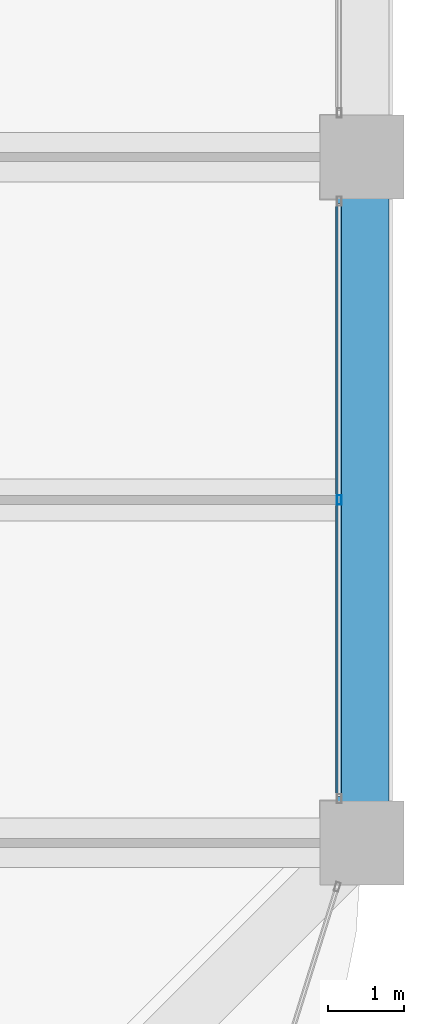
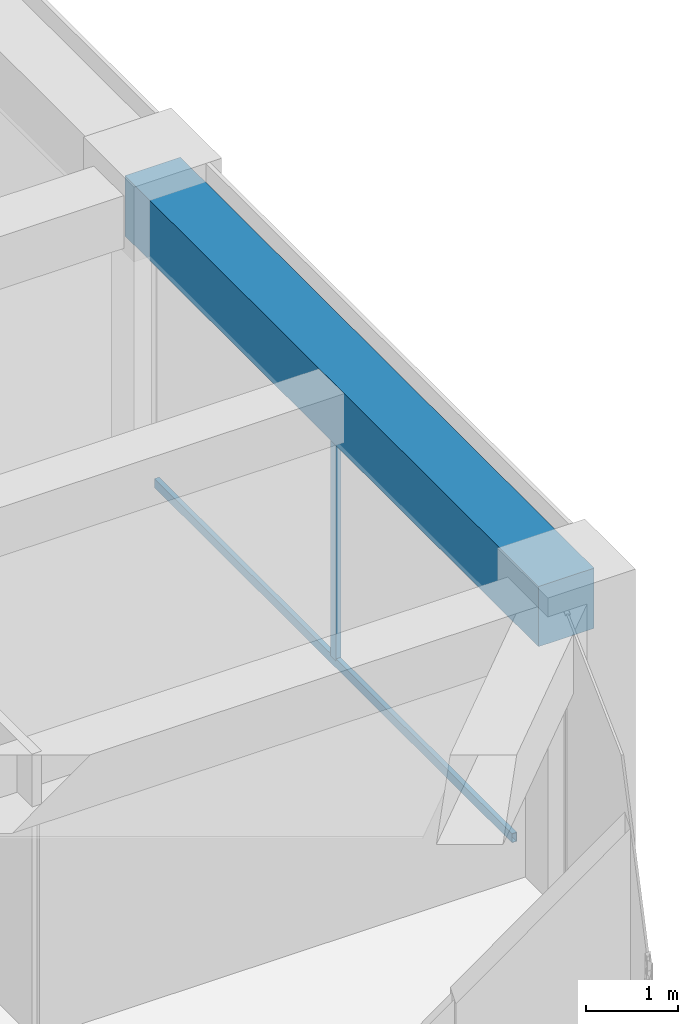
# One storey, part 23 of 45: 2 members, 1 beam, 1 element without a shape of its own.
"""IFC4 building model written with IfcOpenShell, lengths in metres."""

from ifc_helpers import new_model, si_unit, direction, frame, origin, origin_2d, place, context, subcontext, project, spatial, rectangle, hollow_rectangle, extrude, material, material_profile, profile_set, type_object, element, aggregate, save


model = new_model("IFC4")

# Units and contexts
model_context = context("Model", 3, precision=1e-05, world=origin(), true_north=direction((0.0, 1.0)))
body_context = subcontext(model_context, "Body", "Model", "MODEL_VIEW")
ifc_project = project(units=[si_unit("LENGTHUNIT", "METRE"), si_unit("AREAUNIT", "SQUARE_METRE"), si_unit("VOLUMEUNIT", "CUBIC_METRE"), si_unit("PLANEANGLEUNIT", "RADIAN"), si_unit("MASSUNIT", "GRAM", prefix="KILO")], contexts=[model_context])

# Site, building, storey
site_placement = place(None, origin())
site = spatial("IfcSite", under=ifc_project, at=site_placement, CompositionType="ELEMENT")
building_placement = place(site_placement, origin())
building = spatial("IfcBuilding", under=site, at=building_placement, Name="Zorevar Civic Tower", CompositionType="ELEMENT")
storey_placement = place(building_placement, frame((0.0, 0.0, 291.39990234375)))
storey = spatial("IfcBuildingStorey", under=building, at=storey_placement, Name="L71", CompositionType="ELEMENT", Elevation=291.39990234375)

# Curtain wall, members
ifc_material_1 = material(Name="Dark grey solar-control glass in black aluminium frame", Category="aluminium")
curtain_wall_type = type_object("IfcCurtainWallType", Name="Curtain wall CW5 top zone", PredefinedType="NOTDEFINED", material=ifc_material_1)
curtain_wall_placement = place(storey_placement, origin())
curtain_wall = element("IfcCurtainWall", 1, at=curtain_wall_placement, inside=storey, type_object=curtain_wall_type, Name="CW5 L71", PredefinedType="NOTDEFINED")
ifc_material_2 = material(Name="Aluminium, black anodised", Category="aluminium")
ifc_material_profile_1 = material_profile(ifc_material_2, hollow_rectangle(XDim=0.06005859375, YDim=0.1201171875, WallThickness=0.0029296875, at=origin_2d()), Name="AL 120x60x3")
ifc_profile_set_1 = profile_set([ifc_material_profile_1], Name="Aluminium, black anodised")
member_type_1 = type_object("IfcMemberType", Name="CW5 mullion AL 120x60x3", PredefinedType="MULLION", material=ifc_profile_set_1)
member_1_placement = place(storey_placement, frame((53.699951171875, 13.5, 0.06005859375), z_axis=(0.0, 0.0, 1.0), x_axis=(-1.0, 0.0, 0.0)))
member_1 = element("IfcMember", 2, at=member_1_placement, type_object=member_type_1, Name="CW5 mullion 2", PredefinedType="MULLION", context=body_context, shape_type="SweptSolid", body=[
    extrude(hollow_rectangle(XDim=0.06005859375, YDim=0.1201171875, WallThickness=0.0029296875, at=origin_2d()), origin(), (0.0, 0.0, 1.0), 2.89013671875),
])
ifc_material_3 = material(Name="Aluminium, black anodised", Category="aluminium")
ifc_material_profile_2 = material_profile(ifc_material_3, hollow_rectangle(XDim=0.06005859375, YDim=0.1201171875, WallThickness=0.0029296875, at=origin_2d()), Name="AL 120x60x3")
ifc_profile_set_2 = profile_set([ifc_material_profile_2], Name="Aluminium, black anodised")
member_type_2 = type_object("IfcMemberType", Name="CW5 transom AL 120x60x3", PredefinedType="USERDEFINED", material=ifc_profile_set_2)
member_2_placement = place(storey_placement, frame((53.699951171875, 9.610107421875, 0.030029296875), z_axis=(0.0, 1.0, 0.0), x_axis=(-1.0, 0.0, 0.0)))
member_2 = element("IfcMember", 3, at=member_2_placement, type_object=member_type_2, Name="CW5 sill transom", ObjectType="TRANSOM", PredefinedType="USERDEFINED", context=body_context, shape_type="SweptSolid", body=[
    extrude(hollow_rectangle(XDim=0.06005859375, YDim=0.1201171875, WallThickness=0.0029296875, at=origin_2d()), origin(), (0.0, 0.0, 1.0), 7.77978515625),
])
aggregate(curtain_wall, [member_1, member_2])

# Beam
ifc_material_4 = material(Name="Concrete C50/60", Category="concrete")
ifc_material_profile_3 = material_profile(ifc_material_4, rectangle(XDim=0.699951171875, YDim=0.800048828125, at=origin_2d()), Name="RC 700x800")
ifc_profile_set_3 = profile_set([ifc_material_profile_3], Name="Concrete C50/60")
beam_type = type_object("IfcBeamType", Name="Edge beam RC 700x800", PredefinedType="SPANDREL", material=ifc_profile_set_3)
beam_placement = place(storey_placement, frame((54.0, 9.0, 3.35009765625), z_axis=(0.0, 1.0, 0.0), x_axis=(-1.0, 0.0, 0.0)))
element("IfcBeam", 4, at=beam_placement, inside=storey, type_object=beam_type, Name="Edge beam L72", PredefinedType="SPANDREL", context=body_context, shape_type="SweptSolid", body=[
    extrude(rectangle(XDim=0.699951171875, YDim=0.800048828125, at=origin_2d()), origin(), (0.0, 0.0, 1.0), 9.0),
])

save(model, "model.ifc")
